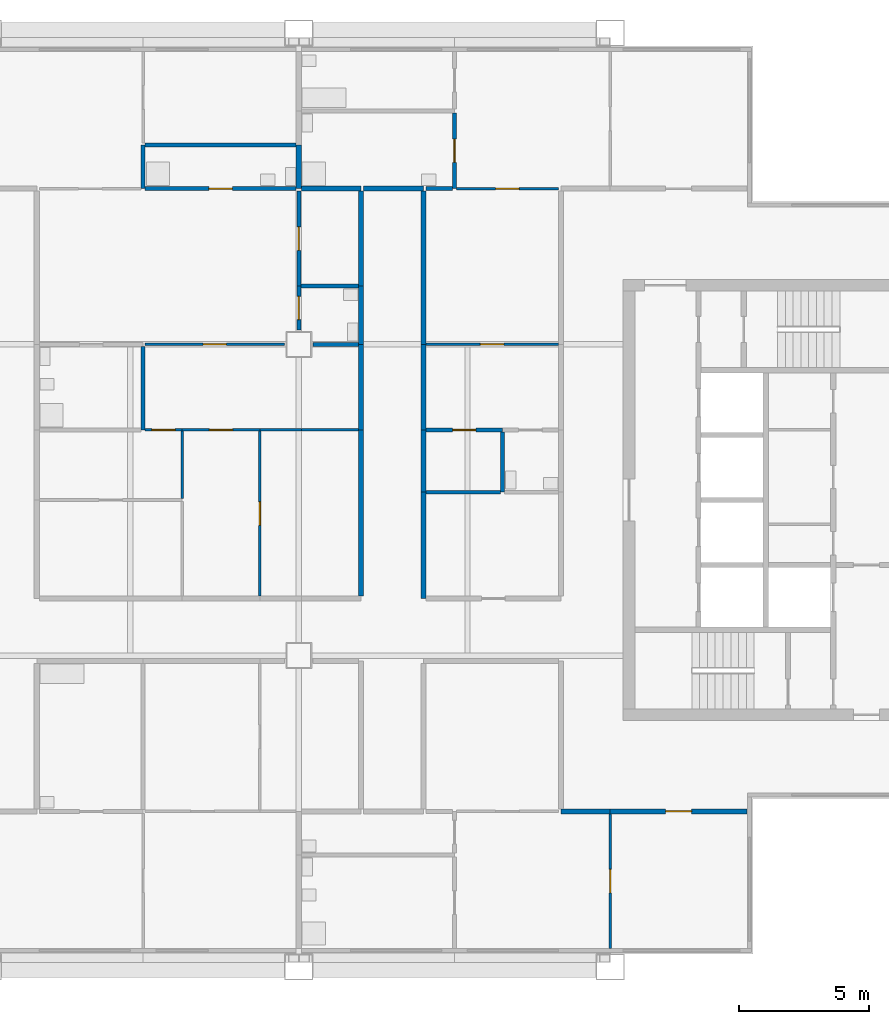
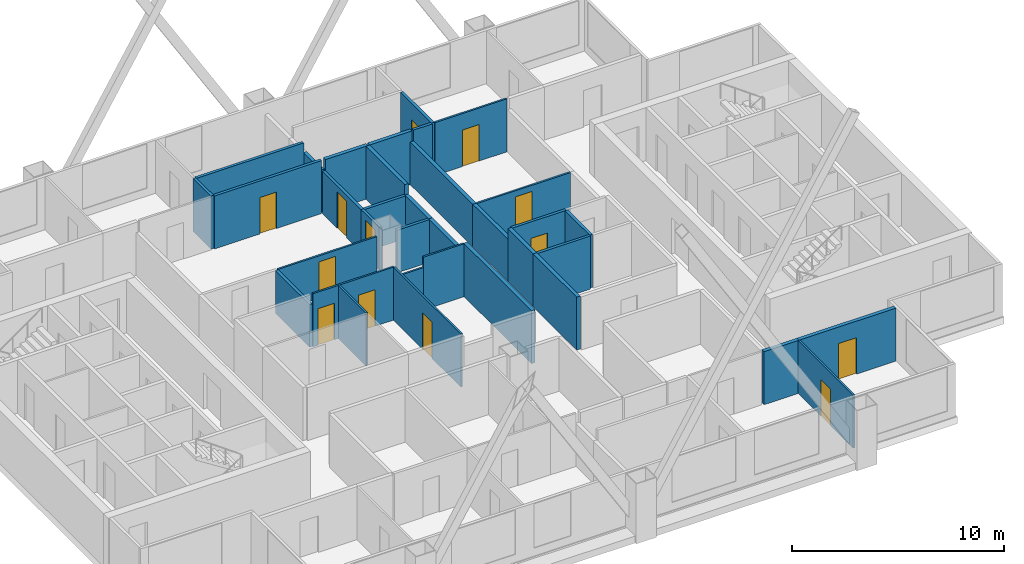
# One storey, part 4 of 9: 36 walls, 13 doors, 13 openings.
"""IFC4 building model written with IfcOpenShell, lengths in metres."""

from ifc_helpers import new_model, si_unit, direction, frame, frame_2d, origin, place, context, subcontext, project, spatial, rectangle, extrude, material, layer, layer_set, type_object, element, fill, save


model = new_model("IFC4")

# Units and contexts
model_context = context("Model", 3, precision=1e-05, world=origin(), true_north=direction((0.0, 1.0)))
body_context = subcontext(model_context, "Body", "Model", "MODEL_VIEW")
ifc_project = project(units=[si_unit("LENGTHUNIT", "METRE"), si_unit("AREAUNIT", "SQUARE_METRE"), si_unit("VOLUMEUNIT", "CUBIC_METRE"), si_unit("PLANEANGLEUNIT", "RADIAN"), si_unit("MASSUNIT", "GRAM", prefix="KILO")], contexts=[model_context])

# Site, building, storey
site_placement = place(None, origin())
site = spatial("IfcSite", under=ifc_project, at=site_placement, CompositionType="ELEMENT")
building_placement = place(site_placement, origin())
building = spatial("IfcBuilding", under=site, at=building_placement, Name="Kitamizu Gate Tower and Museum", CompositionType="ELEMENT")
storey_placement = place(building_placement, frame((0.0, 0.0, 217.949951171875)))
storey = spatial("IfcBuildingStorey", under=building, at=storey_placement, Name="L58", CompositionType="ELEMENT", Elevation=217.949951171875)

# Wall, opening, door
ifc_material_1 = material(Name="Gypsum board on galvanised stud")
ifc_layer_1 = layer(ifc_material_1, 0.10009765625)
ifc_layer_set_1 = layer_set([ifc_layer_1], Name="Gypsum board on galvanised stud")
wall_type_1 = type_object("IfcWallType", Name="Partition 100 NOT RATED", PredefinedType="PARTITIONING", material=ifc_layer_set_1)
wall_1_placement = place(storey_placement, frame((48.0, 12.719970703125, 0.0), z_axis=(0.0, 0.0, 1.0), x_axis=(0.0, 1.0, 0.0)))
wall_1 = element("IfcWall", 1, at=wall_1_placement, inside=storey, type_object=wall_type_1, Name="Partition L58-024", PredefinedType="PARTITIONING", context=body_context, shape_type="SweptSolid", body=[
    extrude(rectangle(XDim=5.179931640625, YDim=0.10009765625, at=frame_2d((2.58984375, 0.0))), origin(), (0.0, 0.0, 1.0), 3.050048828125),
])
opening_1_placement = place(wall_1_placement, frame((2.139892578125, 0.0, 0.0)))
opening_1 = element("IfcOpeningElement", 2, at=opening_1_placement, cuts=wall_1, Name="Opening L58-008", PredefinedType="OPENING", context=body_context, shape_type="SweptSolid", body=[
    extrude(rectangle(XDim=0.89990234375, YDim=2.10009765625, at=frame_2d((0.449951171875, 1.050048828125))), frame((0.0, 0.06005859375, 0.0), z_axis=(0.0, -1.0, 0.0), x_axis=(1.0, 0.0, 0.0)), (0.0, 0.0, 1.0), 0.1201171875),
])
ifc_material_2 = material(Name="Timber door set", Category="wood")
door_type_1 = type_object("IfcDoorType", Name="Room door 900", OperationType="NOTDEFINED", PredefinedType="DOOR", material=ifc_material_2)
door_1_placement = place(opening_1_placement, origin())
door_1 = element("IfcDoor", 3, at=door_1_placement, inside=storey, type_object=door_type_1, Name="Door L58-008", OperationType="SINGLE_SWING_LEFT", OverallHeight=2.10009765625, OverallWidth=0.89990234375, PredefinedType="DOOR", context=body_context, shape_type="SweptSolid", body=[
    extrude(rectangle(XDim=0.89990234375, YDim=2.10009765625, at=frame_2d((0.449951171875, 1.050048828125))), frame((0.0, 0.02490234375, 0.0), z_axis=(0.0, -1.0, 0.0), x_axis=(1.0, 0.0, 0.0)), (0.0, 0.0, 1.0), 0.050048828125),
])
fill(opening_1, door_1)

wall_2_placement = place(storey_placement, frame((30.074951171875, 36.0, 0.0), z_axis=(0.0, 0.0, 1.0), x_axis=(1.0, 0.0, 0.0)))
wall_2 = element("IfcWall", 4, at=wall_2_placement, inside=storey, type_object=wall_type_1, Name="Partition L58-045", PredefinedType="PARTITIONING", context=body_context, shape_type="SweptSolid", body=[
    extrude(rectangle(XDim=5.375, YDim=0.10009765625, at=frame_2d((2.6875, 0.0))), origin(), (0.0, 0.0, 1.0), 2.449951171875),
])
opening_2_placement = place(wall_2_placement, frame((2.237548828125, 0.0, 0.0)))
opening_2 = element("IfcOpeningElement", 5, at=opening_2_placement, cuts=wall_2, Name="Opening L58-020", PredefinedType="OPENING", context=body_context, shape_type="SweptSolid", body=[
    extrude(rectangle(XDim=0.89990234375, YDim=2.10009765625, at=frame_2d((0.449951171875, 1.050048828125))), frame((0.0, 0.06005859375, 0.0), z_axis=(0.0, -1.0, 0.0), x_axis=(1.0, 0.0, 0.0)), (0.0, 0.0, 1.0), 0.1201171875),
])
door_2_placement = place(opening_2_placement, frame((0.89990234375, 0.0, 0.0), x_axis=(-1.0, 0.0, 0.0)))
door_2 = element("IfcDoor", 6, at=door_2_placement, inside=storey, type_object=door_type_1, Name="Door L58-020", OperationType="SINGLE_SWING_RIGHT", OverallHeight=2.10009765625, OverallWidth=0.89990234375, PredefinedType="DOOR", context=body_context, shape_type="SweptSolid", body=[
    extrude(rectangle(XDim=0.89990234375, YDim=2.10009765625, at=frame_2d((0.449951171875, 1.050048828125))), frame((0.0, 0.02490234375, 0.0), z_axis=(0.0, -1.0, 0.0), x_axis=(1.0, 0.0, 0.0)), (0.0, 0.0, 1.0), 0.050048828125),
])
fill(opening_2, door_2)

wall_3_placement = place(storey_placement, frame((30.074951171875, 32.699951171875, 0.0), z_axis=(0.0, 0.0, 1.0), x_axis=(1.0, 0.0, 0.0)))
wall_3 = element("IfcWall", 7, at=wall_3_placement, inside=storey, type_object=wall_type_1, Name="Partition L58-055", PredefinedType="PARTITIONING", context=body_context, shape_type="SweptSolid", body=[
    extrude(rectangle(XDim=1.425048828125, YDim=0.10009765625, at=frame_2d((0.71240234375, 0.0))), origin(), (0.0, 0.0, 1.0), 3.050048828125),
])
opening_3_placement = place(wall_3_placement, frame((0.262451171875, 0.0, 0.0)))
opening_3 = element("IfcOpeningElement", 8, at=opening_3_placement, cuts=wall_3, Name="Opening L58-021", PredefinedType="OPENING", context=body_context, shape_type="SweptSolid", body=[
    extrude(rectangle(XDim=0.89990234375, YDim=2.10009765625, at=frame_2d((0.449951171875, 1.050048828125))), frame((0.0, 0.06005859375, 0.0), z_axis=(0.0, -1.0, 0.0), x_axis=(1.0, 0.0, 0.0)), (0.0, 0.0, 1.0), 0.1201171875),
])
door_3_placement = place(opening_3_placement, frame((0.89990234375, 0.0, 0.0), x_axis=(-1.0, 0.0, 0.0)))
door_3 = element("IfcDoor", 9, at=door_3_placement, inside=storey, type_object=door_type_1, Name="Door L58-021", OperationType="SINGLE_SWING_RIGHT", OverallHeight=2.10009765625, OverallWidth=0.89990234375, PredefinedType="DOOR", context=body_context, shape_type="SweptSolid", body=[
    extrude(rectangle(XDim=0.89990234375, YDim=2.10009765625, at=frame_2d((0.449951171875, 1.050048828125))), frame((0.0, 0.02490234375, 0.0), z_axis=(0.0, -1.0, 0.0), x_axis=(1.0, 0.0, 0.0)), (0.0, 0.0, 1.0), 0.050048828125),
])
fill(opening_3, door_3)

wall_4_placement = place(storey_placement, frame((31.5, 32.699951171875, 0.0), z_axis=(0.0, 0.0, 1.0), x_axis=(1.0, 0.0, 0.0)))
wall_4 = element("IfcWall", 10, at=wall_4_placement, inside=storey, type_object=wall_type_1, Name="Partition L58-056", PredefinedType="PARTITIONING", context=body_context, shape_type="SweptSolid", body=[
    extrude(rectangle(XDim=3.0, YDim=0.10009765625, at=frame_2d((1.5, 0.0))), origin(), (0.0, 0.0, 1.0), 3.050048828125),
])
opening_4_placement = place(wall_4_placement, frame((1.050048828125, 0.0, 0.0)))
opening_4 = element("IfcOpeningElement", 11, at=opening_4_placement, cuts=wall_4, Name="Opening L58-022", PredefinedType="OPENING", context=body_context, shape_type="SweptSolid", body=[
    extrude(rectangle(XDim=0.89990234375, YDim=2.10009765625, at=frame_2d((0.449951171875, 1.050048828125))), frame((0.0, 0.06005859375, 0.0), z_axis=(0.0, -1.0, 0.0), x_axis=(1.0, 0.0, 0.0)), (0.0, 0.0, 1.0), 0.1201171875),
])
door_4_placement = place(opening_4_placement, frame((0.89990234375, 0.0, 0.0), x_axis=(-1.0, 0.0, 0.0)))
door_4 = element("IfcDoor", 12, at=door_4_placement, inside=storey, type_object=door_type_1, Name="Door L58-022", OperationType="SINGLE_SWING_LEFT", OverallHeight=2.10009765625, OverallWidth=0.89990234375, PredefinedType="DOOR", context=body_context, shape_type="SweptSolid", body=[
    extrude(rectangle(XDim=0.89990234375, YDim=2.10009765625, at=frame_2d((0.449951171875, 1.050048828125))), frame((0.0, 0.02490234375, 0.0), z_axis=(0.0, -1.0, 0.0), x_axis=(1.0, 0.0, 0.0)), (0.0, 0.0, 1.0), 0.050048828125),
])
fill(opening_4, door_4)

# Walls
wall_5_placement = place(storey_placement, frame((34.5, 32.699951171875, 0.0), z_axis=(0.0, 0.0, 1.0), x_axis=(1.0, 0.0, 0.0)))
element("IfcWall", 13, at=wall_5_placement, inside=storey, type_object=wall_type_1, Name="Partition L58-057", PredefinedType="PARTITIONING", context=body_context, shape_type="SweptSolid", body=[
    extrude(rectangle(XDim=1.60009765625, YDim=0.10009765625, at=frame_2d((0.800048828125, 0.0))), origin(), (0.0, 0.0, 1.0), 2.449951171875),
])
wall_6_placement = place(storey_placement, frame((36.10009765625, 32.699951171875, 0.0), z_axis=(0.0, 0.0, 1.0), x_axis=(1.0, 0.0, 0.0)))
element("IfcWall", 14, at=wall_6_placement, inside=storey, type_object=wall_type_1, Name="Partition L58-058", PredefinedType="PARTITIONING", context=body_context, shape_type="SweptSolid", body=[
    extrude(rectangle(XDim=2.199951171875, YDim=0.10009765625, at=frame_2d((1.10009765625, 0.0))), origin(), (0.0, 0.0, 1.0), 3.050048828125),
])
wall_7_placement = place(storey_placement, frame((31.5, 30.050048828125, 0.0), z_axis=(0.0, 0.0, 1.0), x_axis=(0.0, 1.0, 0.0)))
element("IfcWall", 15, at=wall_7_placement, inside=storey, type_object=wall_type_1, Name="Partition L58-064", PredefinedType="PARTITIONING", context=body_context, shape_type="SweptSolid", body=[
    extrude(rectangle(XDim=2.599853515625, YDim=0.10009765625, at=frame_2d((1.2998046875, 0.0))), origin(), (0.0, 0.0, 1.0), 3.050048828125),
])

# Wall, opening, door
wall_8_placement = place(storey_placement, frame((34.5, 26.300048828125, 0.0), z_axis=(0.0, 0.0, 1.0), x_axis=(0.0, 1.0, 0.0)))
wall_8 = element("IfcWall", 16, at=wall_8_placement, inside=storey, type_object=wall_type_1, Name="Partition L58-066", PredefinedType="PARTITIONING", context=body_context, shape_type="SweptSolid", body=[
    extrude(rectangle(XDim=6.349853515625, YDim=0.10009765625, at=frame_2d((3.1748046875, 0.0))), origin(), (0.0, 0.0, 1.0), 3.050048828125),
])
opening_5_placement = place(wall_8_placement, frame((2.72509765625, 0.0, 0.0)))
opening_5 = element("IfcOpeningElement", 17, at=opening_5_placement, cuts=wall_8, Name="Opening L58-023", PredefinedType="OPENING", context=body_context, shape_type="SweptSolid", body=[
    extrude(rectangle(XDim=0.89990234375, YDim=2.10009765625, at=frame_2d((0.449951171875, 1.050048828125))), frame((0.0, 0.06005859375, 0.0), z_axis=(0.0, -1.0, 0.0), x_axis=(1.0, 0.0, 0.0)), (0.0, 0.0, 1.0), 0.1201171875),
])
door_5_placement = place(opening_5_placement, origin())
door_5 = element("IfcDoor", 18, at=door_5_placement, inside=storey, type_object=door_type_1, Name="Door L58-023", OperationType="SINGLE_SWING_LEFT", OverallHeight=2.10009765625, OverallWidth=0.89990234375, PredefinedType="DOOR", context=body_context, shape_type="SweptSolid", body=[
    extrude(rectangle(XDim=0.89990234375, YDim=2.10009765625, at=frame_2d((0.449951171875, 1.050048828125))), frame((0.0, 0.02490234375, 0.0), z_axis=(0.0, -1.0, 0.0), x_axis=(1.0, 0.0, 0.0)), (0.0, 0.0, 1.0), 0.050048828125),
])
fill(opening_5, door_5)

wall_9_placement = place(storey_placement, frame((42.074951171875, 42.0, 0.0), z_axis=(0.0, 0.0, 1.0), x_axis=(1.0, 0.0, 0.0)))
wall_9 = element("IfcWall", 19, at=wall_9_placement, inside=storey, type_object=wall_type_1, Name="Partition L58-077", PredefinedType="PARTITIONING", context=body_context, shape_type="SweptSolid", body=[
    extrude(rectangle(XDim=3.925048828125, YDim=0.10009765625, at=frame_2d((1.96240234375, 0.0))), origin(), (0.0, 0.0, 1.0), 3.050048828125),
])
opening_6_placement = place(wall_9_placement, frame((1.512451171875, 0.0, 0.0)))
opening_6 = element("IfcOpeningElement", 20, at=opening_6_placement, cuts=wall_9, Name="Opening L58-027", PredefinedType="OPENING", context=body_context, shape_type="SweptSolid", body=[
    extrude(rectangle(XDim=0.89990234375, YDim=2.10009765625, at=frame_2d((0.449951171875, 1.050048828125))), frame((0.0, 0.06005859375, 0.0), z_axis=(0.0, -1.0, 0.0), x_axis=(1.0, 0.0, 0.0)), (0.0, 0.0, 1.0), 0.1201171875),
])
door_6_placement = place(opening_6_placement, origin())
door_6 = element("IfcDoor", 21, at=door_6_placement, inside=storey, type_object=door_type_1, Name="Door L58-027", OperationType="SINGLE_SWING_LEFT", OverallHeight=2.10009765625, OverallWidth=0.89990234375, PredefinedType="DOOR", context=body_context, shape_type="SweptSolid", body=[
    extrude(rectangle(XDim=0.89990234375, YDim=2.10009765625, at=frame_2d((0.449951171875, 1.050048828125))), frame((0.0, 0.02490234375, 0.0), z_axis=(0.0, -1.0, 0.0), x_axis=(1.0, 0.0, 0.0)), (0.0, 0.0, 1.0), 0.050048828125),
])
fill(opening_6, door_6)

wall_10_placement = place(storey_placement, frame((40.89990234375, 36.0, 0.0), z_axis=(0.0, 0.0, 1.0), x_axis=(1.0, 0.0, 0.0)))
wall_10 = element("IfcWall", 22, at=wall_10_placement, inside=storey, type_object=wall_type_1, Name="Partition L58-080", PredefinedType="PARTITIONING", context=body_context, shape_type="SweptSolid", body=[
    extrude(rectangle(XDim=5.10009765625, YDim=0.10009765625, at=frame_2d((2.550048828125, 0.0))), origin(), (0.0, 0.0, 1.0), 2.449951171875),
])
opening_7_placement = place(wall_10_placement, frame((2.10009765625, 0.0, 0.0)))
opening_7 = element("IfcOpeningElement", 23, at=opening_7_placement, cuts=wall_10, Name="Opening L58-030", PredefinedType="OPENING", context=body_context, shape_type="SweptSolid", body=[
    extrude(rectangle(XDim=0.89990234375, YDim=2.10009765625, at=frame_2d((0.449951171875, 1.050048828125))), frame((0.0, 0.06005859375, 0.0), z_axis=(0.0, -1.0, 0.0), x_axis=(1.0, 0.0, 0.0)), (0.0, 0.0, 1.0), 0.1201171875),
])
door_7_placement = place(opening_7_placement, frame((0.89990234375, 0.0, 0.0), x_axis=(-1.0, 0.0, 0.0)))
door_7 = element("IfcDoor", 24, at=door_7_placement, inside=storey, type_object=door_type_1, Name="Door L58-030", OperationType="SINGLE_SWING_LEFT", OverallHeight=2.10009765625, OverallWidth=0.89990234375, PredefinedType="DOOR", context=body_context, shape_type="SweptSolid", body=[
    extrude(rectangle(XDim=0.89990234375, YDim=2.10009765625, at=frame_2d((0.449951171875, 1.050048828125))), frame((0.0, 0.02490234375, 0.0), z_axis=(0.0, -1.0, 0.0), x_axis=(1.0, 0.0, 0.0)), (0.0, 0.0, 1.0), 0.050048828125),
])
fill(opening_7, door_7)

# Walls
ifc_material_3 = material(Name="Gypsum board on galvanised stud")
ifc_layer_2 = layer(ifc_material_3, 0.14990234375)
ifc_layer_set_2 = layer_set([ifc_layer_2], Name="Gypsum board on galvanised stud")
wall_type_2 = type_object("IfcWallType", Name="Partition 150", PredefinedType="PARTITIONING", material=ifc_layer_set_2)
wall_11_placement = place(storey_placement, frame((30.0, 42.0, 0.0), z_axis=(0.0, 0.0, 1.0), x_axis=(0.0, 1.0, 0.0)))
element("IfcWall", 25, at=wall_11_placement, inside=storey, type_object=wall_type_2, Name="Partition L58-034", PredefinedType="PARTITIONING", context=body_context, shape_type="SweptSolid", body=[
    extrude(rectangle(XDim=1.679931640625, YDim=0.14990234375, at=frame_2d((0.83984375, 0.0))), origin(), (0.0, 0.0, 1.0), 3.050048828125),
])
wall_12_placement = place(storey_placement, frame((30.074951171875, 43.679931640625, 0.0), z_axis=(0.0, 0.0, 1.0), x_axis=(1.0, 0.0, 0.0)))
element("IfcWall", 26, at=wall_12_placement, inside=storey, type_object=wall_type_2, Name="Partition L58-037", PredefinedType="PARTITIONING", context=body_context, shape_type="SweptSolid", body=[
    extrude(rectangle(XDim=5.824951171875, YDim=0.14990234375, at=frame_2d((2.91259765625, 0.0))), origin(), (0.0, 0.0, 1.0), 3.050048828125),
])

# Wall, opening, door
wall_13_placement = place(storey_placement, frame((30.074951171875, 42.0, 0.0), z_axis=(0.0, 0.0, 1.0), x_axis=(1.0, 0.0, 0.0)))
wall_13 = element("IfcWall", 27, at=wall_13_placement, inside=storey, type_object=wall_type_2, Name="Partition L58-040", PredefinedType="PARTITIONING", context=body_context, shape_type="SweptSolid", body=[
    extrude(rectangle(XDim=5.824951171875, YDim=0.14990234375, at=frame_2d((2.91259765625, 0.0))), origin(), (0.0, 0.0, 1.0), 3.050048828125),
])
opening_8_placement = place(wall_13_placement, frame((2.46240234375, 0.0, 0.0)))
opening_8 = element("IfcOpeningElement", 28, at=opening_8_placement, cuts=wall_13, Name="Opening L58-015", PredefinedType="OPENING", context=body_context, shape_type="SweptSolid", body=[
    extrude(rectangle(XDim=0.89990234375, YDim=2.10009765625, at=frame_2d((0.449951171875, 1.050048828125))), frame((0.0, 0.0849609375, 0.0), z_axis=(0.0, -1.0, 0.0), x_axis=(1.0, 0.0, 0.0)), (0.0, 0.0, 1.0), 0.169921875),
])
ifc_material_4 = material(Name="Timber door set", Category="wood")
door_type_2 = type_object("IfcDoorType", Name="Bathroom door 900", OperationType="NOTDEFINED", PredefinedType="DOOR", material=ifc_material_4)
door_8_placement = place(opening_8_placement, origin())
door_8 = element("IfcDoor", 29, at=door_8_placement, inside=storey, type_object=door_type_2, Name="Bathroom door L58-015", OperationType="SINGLE_SWING_RIGHT", OverallHeight=2.10009765625, OverallWidth=0.89990234375, PredefinedType="DOOR", context=body_context, shape_type="SweptSolid", body=[
    extrude(rectangle(XDim=0.89990234375, YDim=2.10009765625, at=frame_2d((0.449951171875, 1.050048828125))), frame((0.0, 0.02490234375, 0.0), z_axis=(0.0, -1.0, 0.0), x_axis=(1.0, 0.0, 0.0)), (0.0, 0.0, 1.0), 0.050048828125),
])
fill(opening_8, door_8)

wall_14_placement = place(storey_placement, frame((36.0, 36.550048828125, 0.0), z_axis=(0.0, 0.0, 1.0), x_axis=(0.0, 1.0, 0.0)))
wall_14 = element("IfcWall", 30, at=wall_14_placement, inside=storey, type_object=wall_type_2, Name="Partition L58-042", PredefinedType="PARTITIONING", context=body_context, shape_type="SweptSolid", body=[
    extrude(rectangle(XDim=1.699951171875, YDim=0.14990234375, at=frame_2d((0.85009765625, 0.0))), origin(), (0.0, 0.0, 1.0), 2.449951171875),
])
opening_9_placement = place(wall_14_placement, frame((0.39990234375, 0.0, 0.0)))
opening_9 = element("IfcOpeningElement", 31, at=opening_9_placement, cuts=wall_14, Name="Opening L58-018", PredefinedType="OPENING", context=body_context, shape_type="SweptSolid", body=[
    extrude(rectangle(XDim=0.89990234375, YDim=2.10009765625, at=frame_2d((0.449951171875, 1.050048828125))), frame((0.0, 0.0849609375, 0.0), z_axis=(0.0, -1.0, 0.0), x_axis=(1.0, 0.0, 0.0)), (0.0, 0.0, 1.0), 0.169921875),
])
door_9_placement = place(opening_9_placement, frame((0.89990234375, 0.0, 0.0), x_axis=(-1.0, 0.0, 0.0)))
door_9 = element("IfcDoor", 32, at=door_9_placement, inside=storey, type_object=door_type_2, Name="Bathroom door L58-018", OperationType="SINGLE_SWING_RIGHT", OverallHeight=2.10009765625, OverallWidth=0.89990234375, PredefinedType="DOOR", context=body_context, shape_type="SweptSolid", body=[
    extrude(rectangle(XDim=0.89990234375, YDim=2.10009765625, at=frame_2d((0.449951171875, 1.050048828125))), frame((0.0, 0.02490234375, 0.0), z_axis=(0.0, -1.0, 0.0), x_axis=(1.0, 0.0, 0.0)), (0.0, 0.0, 1.0), 0.050048828125),
])
fill(opening_9, door_9)

wall_15_placement = place(storey_placement, frame((36.0, 38.25, 0.0), z_axis=(0.0, 0.0, 1.0), x_axis=(0.0, 1.0, 0.0)))
wall_15 = element("IfcWall", 33, at=wall_15_placement, inside=storey, type_object=wall_type_2, Name="Partition L58-043", PredefinedType="PARTITIONING", context=body_context, shape_type="SweptSolid", body=[
    extrude(rectangle(XDim=3.64990234375, YDim=0.14990234375, at=frame_2d((1.824951171875, 0.0))), origin(), (0.0, 0.0, 1.0), 2.449951171875),
])
opening_10_placement = place(wall_15_placement, frame((1.375, 0.0, 0.0)))
opening_10 = element("IfcOpeningElement", 34, at=opening_10_placement, cuts=wall_15, Name="Opening L58-019", PredefinedType="OPENING", context=body_context, shape_type="SweptSolid", body=[
    extrude(rectangle(XDim=0.89990234375, YDim=2.10009765625, at=frame_2d((0.449951171875, 1.050048828125))), frame((0.0, 0.0849609375, 0.0), z_axis=(0.0, -1.0, 0.0), x_axis=(1.0, 0.0, 0.0)), (0.0, 0.0, 1.0), 0.169921875),
])
door_10_placement = place(opening_10_placement, frame((0.89990234375, 0.0, 0.0), x_axis=(-1.0, 0.0, 0.0)))
door_10 = element("IfcDoor", 35, at=door_10_placement, inside=storey, type_object=door_type_2, Name="Bathroom door L58-019", OperationType="SINGLE_SWING_LEFT", OverallHeight=2.10009765625, OverallWidth=0.89990234375, PredefinedType="DOOR", context=body_context, shape_type="SweptSolid", body=[
    extrude(rectangle(XDim=0.89990234375, YDim=2.10009765625, at=frame_2d((0.449951171875, 1.050048828125))), frame((0.0, 0.02490234375, 0.0), z_axis=(0.0, -1.0, 0.0), x_axis=(1.0, 0.0, 0.0)), (0.0, 0.0, 1.0), 0.050048828125),
])
fill(opening_10, door_10)

# Walls
wall_16_placement = place(storey_placement, frame((38.300048828125, 38.25, 0.0), z_axis=(0.0, 0.0, 1.0), x_axis=(-1.0, 0.0, 0.0)))
element("IfcWall", 36, at=wall_16_placement, inside=storey, type_object=wall_type_2, Name="Partition L58-047", PredefinedType="PARTITIONING", context=body_context, shape_type="SweptSolid", body=[
    extrude(rectangle(XDim=2.22509765625, YDim=0.14990234375, at=frame_2d((1.112548828125, 0.0))), origin(), (0.0, 0.0, 1.0), 2.449951171875),
])
wall_17_placement = place(storey_placement, frame((36.550048828125, 36.0, 0.0), z_axis=(0.0, 0.0, 1.0), x_axis=(1.0, 0.0, 0.0)))
element("IfcWall", 37, at=wall_17_placement, inside=storey, type_object=wall_type_2, Name="Partition L58-048", PredefinedType="PARTITIONING", context=body_context, shape_type="SweptSolid", body=[
    extrude(rectangle(XDim=1.75, YDim=0.14990234375, at=frame_2d((0.875, 0.0))), origin(), (0.0, 0.0, 1.0), 2.449951171875),
])
wall_18_placement = place(storey_placement, frame((30.0, 32.699951171875, 0.0), z_axis=(0.0, 0.0, 1.0), x_axis=(0.0, 1.0, 0.0)))
element("IfcWall", 38, at=wall_18_placement, inside=storey, type_object=wall_type_2, Name="Partition L58-052", PredefinedType="PARTITIONING", context=body_context, shape_type="SweptSolid", body=[
    extrude(rectangle(XDim=3.22509765625, YDim=0.14990234375, at=frame_2d((1.612548828125, 0.0))), origin(), (0.0, 0.0, 1.0), 2.449951171875),
])

# Wall, opening, door
wall_19_placement = place(storey_placement, frame((42.0, 42.0, 0.0), z_axis=(0.0, 0.0, 1.0), x_axis=(0.0, 1.0, 0.0)))
wall_19 = element("IfcWall", 39, at=wall_19_placement, inside=storey, type_object=wall_type_2, Name="Partition L58-072", PredefinedType="PARTITIONING", context=body_context, shape_type="SweptSolid", body=[
    extrude(rectangle(XDim=2.925048828125, YDim=0.14990234375, at=frame_2d((1.46240234375, 0.0))), origin(), (0.0, 0.0, 1.0), 3.050048828125),
])
opening_11_placement = place(wall_19_placement, frame((1.012451171875, 0.0, 0.0)))
opening_11 = element("IfcOpeningElement", 40, at=opening_11_placement, cuts=wall_19, Name="Opening L58-028", PredefinedType="OPENING", context=body_context, shape_type="SweptSolid", body=[
    extrude(rectangle(XDim=0.89990234375, YDim=2.10009765625, at=frame_2d((0.449951171875, 1.050048828125))), frame((0.0, 0.0849609375, 0.0), z_axis=(0.0, -1.0, 0.0), x_axis=(1.0, 0.0, 0.0)), (0.0, 0.0, 1.0), 0.169921875),
])
door_11_placement = place(opening_11_placement, origin())
door_11 = element("IfcDoor", 41, at=door_11_placement, inside=storey, type_object=door_type_2, Name="Bathroom door L58-028", OperationType="SINGLE_SWING_RIGHT", OverallHeight=2.10009765625, OverallWidth=0.89990234375, PredefinedType="DOOR", context=body_context, shape_type="SweptSolid", body=[
    extrude(rectangle(XDim=0.89990234375, YDim=2.10009765625, at=frame_2d((0.449951171875, 1.050048828125))), frame((0.0, 0.02490234375, 0.0), z_axis=(0.0, -1.0, 0.0), x_axis=(1.0, 0.0, 0.0)), (0.0, 0.0, 1.0), 0.050048828125),
])
fill(opening_11, door_11)

# Wall
wall_20_placement = place(storey_placement, frame((40.89990234375, 42.0, 0.0), z_axis=(0.0, 0.0, 1.0), x_axis=(1.0, 0.0, 0.0)))
element("IfcWall", 42, at=wall_20_placement, inside=storey, type_object=wall_type_2, Name="Partition L58-073", PredefinedType="PARTITIONING", context=body_context, shape_type="SweptSolid", body=[
    extrude(rectangle(XDim=1.025146484375, YDim=0.14990234375, at=frame_2d((0.5126953125, 0.0))), origin(), (0.0, 0.0, 1.0), 3.050048828125),
])

# Wall, opening, door
wall_21_placement = place(storey_placement, frame((40.89990234375, 32.699951171875, 0.0), z_axis=(0.0, 0.0, 1.0), x_axis=(1.0, 0.0, 0.0)))
wall_21 = element("IfcWall", 43, at=wall_21_placement, inside=storey, type_object=wall_type_2, Name="Partition L58-084", PredefinedType="PARTITIONING", context=body_context, shape_type="SweptSolid", body=[
    extrude(rectangle(XDim=2.9501953125, YDim=0.14990234375, at=frame_2d((1.47509765625, 0.0))), origin(), (0.0, 0.0, 1.0), 3.050048828125),
])
opening_12_placement = place(wall_21_placement, frame((1.02490234375, 0.0, 0.0)))
opening_12 = element("IfcOpeningElement", 44, at=opening_12_placement, cuts=wall_21, Name="Opening L58-032", PredefinedType="OPENING", context=body_context, shape_type="SweptSolid", body=[
    extrude(rectangle(XDim=0.89990234375, YDim=2.10009765625, at=frame_2d((0.449951171875, 1.050048828125))), frame((0.0, 0.0849609375, 0.0), z_axis=(0.0, -1.0, 0.0), x_axis=(1.0, 0.0, 0.0)), (0.0, 0.0, 1.0), 0.169921875),
])
door_12_placement = place(opening_12_placement, frame((0.89990234375, 0.0, 0.0), x_axis=(-1.0, 0.0, 0.0)))
door_12 = element("IfcDoor", 45, at=door_12_placement, inside=storey, type_object=door_type_2, Name="Bathroom door L58-032", OperationType="SINGLE_SWING_LEFT", OverallHeight=2.10009765625, OverallWidth=0.89990234375, PredefinedType="DOOR", context=body_context, shape_type="SweptSolid", body=[
    extrude(rectangle(XDim=0.89990234375, YDim=2.10009765625, at=frame_2d((0.449951171875, 1.050048828125))), frame((0.0, 0.02490234375, 0.0), z_axis=(0.0, -1.0, 0.0), x_axis=(1.0, 0.0, 0.0)), (0.0, 0.0, 1.0), 0.050048828125),
])
fill(opening_12, door_12)

# Walls
wall_22_placement = place(storey_placement, frame((43.85009765625, 32.625, 0.0), z_axis=(0.0, 0.0, 1.0), x_axis=(0.0, -1.0, 0.0)))
element("IfcWall", 46, at=wall_22_placement, inside=storey, type_object=wall_type_2, Name="Partition L58-087", PredefinedType="PARTITIONING", context=body_context, shape_type="SweptSolid", body=[
    extrude(rectangle(XDim=2.324951171875, YDim=0.14990234375, at=frame_2d((1.16259765625, 0.0))), origin(), (0.0, 0.0, 1.0), 3.050048828125),
])
wall_23_placement = place(storey_placement, frame((40.89990234375, 30.300048828125, 0.0), z_axis=(0.0, 0.0, 1.0), x_axis=(1.0, 0.0, 0.0)))
element("IfcWall", 47, at=wall_23_placement, inside=storey, type_object=wall_type_2, Name="Partition L58-090", PredefinedType="PARTITIONING", context=body_context, shape_type="SweptSolid", body=[
    extrude(rectangle(XDim=2.875, YDim=0.14990234375, at=frame_2d((1.4375, 0.0))), origin(), (0.0, 0.0, 1.0), 3.050048828125),
])
ifc_material_5 = material(Name="Gypsum board on galvanised stud")
ifc_layer_3 = layer(ifc_material_5, 0.199951171875)
ifc_layer_set_3 = layer_set([ifc_layer_3], Name="Gypsum board on galvanised stud")
wall_type_3 = type_object("IfcWallType", Name="Partition 200", PredefinedType="PARTITIONING", material=ifc_layer_set_3)
wall_24_placement = place(storey_placement, frame((48.0, 18.0, 0.0), z_axis=(0.0, 0.0, 1.0), x_axis=(-1.0, 0.0, 0.0)))
element("IfcWall", 48, at=wall_24_placement, inside=storey, type_object=wall_type_3, Name="Partition L58-026", PredefinedType="PARTITIONING", context=body_context, shape_type="SweptSolid", body=[
    extrude(rectangle(XDim=1.89990234375, YDim=0.199951171875, at=frame_2d((0.949951171875, 0.0))), origin(), (0.0, 0.0, 1.0), 3.050048828125),
])

# Wall, opening, door
wall_25_placement = place(storey_placement, frame((53.280029296875, 18.0, 0.0), z_axis=(0.0, 0.0, 1.0), x_axis=(-1.0, 0.0, 0.0)))
wall_25 = element("IfcWall", 49, at=wall_25_placement, inside=storey, type_object=wall_type_3, Name="Partition L58-027", PredefinedType="PARTITIONING", context=body_context, shape_type="SweptSolid", body=[
    extrude(rectangle(XDim=5.280029296875, YDim=0.199951171875, at=frame_2d((2.64013671875, 0.0))), origin(), (0.0, 0.0, 1.0), 3.050048828125),
])
opening_13_placement = place(wall_25_placement, frame((2.139892578125, 0.0, 0.0)))
opening_13 = element("IfcOpeningElement", 50, at=opening_13_placement, cuts=wall_25, Name="Opening L58-007", PredefinedType="OPENING", context=body_context, shape_type="SweptSolid", body=[
    extrude(rectangle(XDim=1.0, YDim=2.10009765625, at=frame_2d((0.5, 1.050048828125))), frame((0.0, 0.10986328125, 0.0), z_axis=(0.0, -1.0, 0.0), x_axis=(1.0, 0.0, 0.0)), (0.0, 0.0, 1.0), 0.219970703125),
])
ifc_material_6 = material(Name="Timber door set", Category="wood")
door_type_3 = type_object("IfcDoorType", Name="Flat entrance door 1000", OperationType="NOTDEFINED", PredefinedType="DOOR", material=ifc_material_6)
door_13_placement = place(opening_13_placement, origin())
door_13 = element("IfcDoor", 51, at=door_13_placement, inside=storey, type_object=door_type_3, Name="Flat entrance door L58-007", OperationType="SINGLE_SWING_RIGHT", OverallHeight=2.10009765625, OverallWidth=1.0, PredefinedType="DOOR", context=body_context, shape_type="SweptSolid", body=[
    extrude(rectangle(XDim=1.0, YDim=2.10009765625, at=frame_2d((0.5, 1.050048828125))), frame((0.0, 0.02490234375, 0.0), z_axis=(0.0, -1.0, 0.0), x_axis=(1.0, 0.0, 0.0)), (0.0, 0.0, 1.0), 0.050048828125),
])
fill(opening_13, door_13)

# Walls
wall_26_placement = place(storey_placement, frame((36.0, 42.0, 0.0), z_axis=(0.0, 0.0, 1.0), x_axis=(0.0, 1.0, 0.0)))
element("IfcWall", 52, at=wall_26_placement, inside=storey, type_object=wall_type_3, Name="Partition L58-041", PredefinedType="PARTITIONING", context=body_context, shape_type="SweptSolid", body=[
    extrude(rectangle(XDim=1.679931640625, YDim=0.199951171875, at=frame_2d((0.83984375, 0.0))), origin(), (0.0, 0.0, 1.0), 2.449951171875),
])
wall_27_placement = place(storey_placement, frame((38.39990234375, 36.0, 0.0), z_axis=(0.0, 0.0, 1.0), x_axis=(0.0, 1.0, 0.0)))
element("IfcWall", 53, at=wall_27_placement, inside=storey, type_object=wall_type_3, Name="Partition L58-049", PredefinedType="PARTITIONING", context=body_context, shape_type="SweptSolid", body=[
    extrude(rectangle(XDim=2.25, YDim=0.199951171875, at=frame_2d((1.125, 0.0))), origin(), (0.0, 0.0, 1.0), 2.449951171875),
])
wall_28_placement = place(storey_placement, frame((38.39990234375, 42.0, 0.0), z_axis=(0.0, 0.0, 1.0), x_axis=(-1.0, 0.0, 0.0)))
element("IfcWall", 54, at=wall_28_placement, inside=storey, type_object=wall_type_3, Name="Partition L58-050", PredefinedType="PARTITIONING", context=body_context, shape_type="SweptSolid", body=[
    extrude(rectangle(XDim=2.2998046875, YDim=0.199951171875, at=frame_2d((1.14990234375, 0.0))), origin(), (0.0, 0.0, 1.0), 3.050048828125),
])
wall_29_placement = place(storey_placement, frame((38.39990234375, 38.25, 0.0), z_axis=(0.0, 0.0, 1.0), x_axis=(0.0, 1.0, 0.0)))
element("IfcWall", 55, at=wall_29_placement, inside=storey, type_object=wall_type_3, Name="Partition L58-051", PredefinedType="PARTITIONING", context=body_context, shape_type="SweptSolid", body=[
    extrude(rectangle(XDim=3.64990234375, YDim=0.199951171875, at=frame_2d((1.824951171875, 0.0))), origin(), (0.0, 0.0, 1.0), 3.050048828125),
])
wall_30_placement = place(storey_placement, frame((38.39990234375, 32.699951171875, 0.0), z_axis=(0.0, 0.0, 1.0), x_axis=(0.0, 1.0, 0.0)))
element("IfcWall", 56, at=wall_30_placement, inside=storey, type_object=wall_type_3, Name="Partition L58-059", PredefinedType="PARTITIONING", context=body_context, shape_type="SweptSolid", body=[
    extrude(rectangle(XDim=3.300048828125, YDim=0.199951171875, at=frame_2d((1.64990234375, 0.0))), origin(), (0.0, 0.0, 1.0), 2.449951171875),
])
wall_31_placement = place(storey_placement, frame((38.39990234375, 26.300048828125, 0.0), z_axis=(0.0, 0.0, 1.0), x_axis=(0.0, 1.0, 0.0)))
element("IfcWall", 57, at=wall_31_placement, inside=storey, type_object=wall_type_3, Name="Partition L58-070", PredefinedType="PARTITIONING", context=body_context, shape_type="SweptSolid", body=[
    extrude(rectangle(XDim=6.39990234375, YDim=0.199951171875, at=frame_2d((3.199951171875, 0.0))), origin(), (0.0, 0.0, 1.0), 3.050048828125),
])
wall_32_placement = place(storey_placement, frame((38.5, 42.0, 0.0), z_axis=(0.0, 0.0, 1.0), x_axis=(1.0, 0.0, 0.0)))
element("IfcWall", 58, at=wall_32_placement, inside=storey, type_object=wall_type_3, Name="Partition L58-074", PredefinedType="PARTITIONING", context=body_context, shape_type="SweptSolid", body=[
    extrude(rectangle(XDim=2.300048828125, YDim=0.199951171875, at=frame_2d((1.14990234375, 0.0))), origin(), (0.0, 0.0, 1.0), 3.050048828125),
])
wall_33_placement = place(storey_placement, frame((40.800048828125, 41.89990234375, 0.0), z_axis=(0.0, 0.0, 1.0), x_axis=(0.0, -1.0, 0.0)))
element("IfcWall", 59, at=wall_33_placement, inside=storey, type_object=wall_type_3, Name="Partition L58-081", PredefinedType="PARTITIONING", context=body_context, shape_type="SweptSolid", body=[
    extrude(rectangle(XDim=5.89990234375, YDim=0.199951171875, at=frame_2d((2.949951171875, 0.0))), origin(), (0.0, 0.0, 1.0), 2.449951171875),
])
wall_34_placement = place(storey_placement, frame((40.800048828125, 36.0, 0.0), z_axis=(0.0, 0.0, 1.0), x_axis=(0.0, -1.0, 0.0)))
element("IfcWall", 60, at=wall_34_placement, inside=storey, type_object=wall_type_3, Name="Partition L58-085", PredefinedType="PARTITIONING", context=body_context, shape_type="SweptSolid", body=[
    extrude(rectangle(XDim=3.300048828125, YDim=0.199951171875, at=frame_2d((1.64990234375, 0.0))), origin(), (0.0, 0.0, 1.0), 2.449951171875),
])
wall_35_placement = place(storey_placement, frame((40.800048828125, 32.699951171875, 0.0), z_axis=(0.0, 0.0, 1.0), x_axis=(0.0, -1.0, 0.0)))
element("IfcWall", 61, at=wall_35_placement, inside=storey, type_object=wall_type_3, Name="Partition L58-091", PredefinedType="PARTITIONING", context=body_context, shape_type="SweptSolid", body=[
    extrude(rectangle(XDim=2.39990234375, YDim=0.199951171875, at=frame_2d((1.199951171875, 0.0))), origin(), (0.0, 0.0, 1.0), 3.050048828125),
])
wall_36_placement = place(storey_placement, frame((40.800048828125, 30.300048828125, 0.0), z_axis=(0.0, 0.0, 1.0), x_axis=(0.0, -1.0, 0.0)))
element("IfcWall", 62, at=wall_36_placement, inside=storey, type_object=wall_type_3, Name="Partition L58-092", PredefinedType="PARTITIONING", context=body_context, shape_type="SweptSolid", body=[
    extrude(rectangle(XDim=4.10009765625, YDim=0.199951171875, at=frame_2d((2.050048828125, 0.0))), origin(), (0.0, 0.0, 1.0), 3.050048828125),
])

save(model, "model.ifc")
